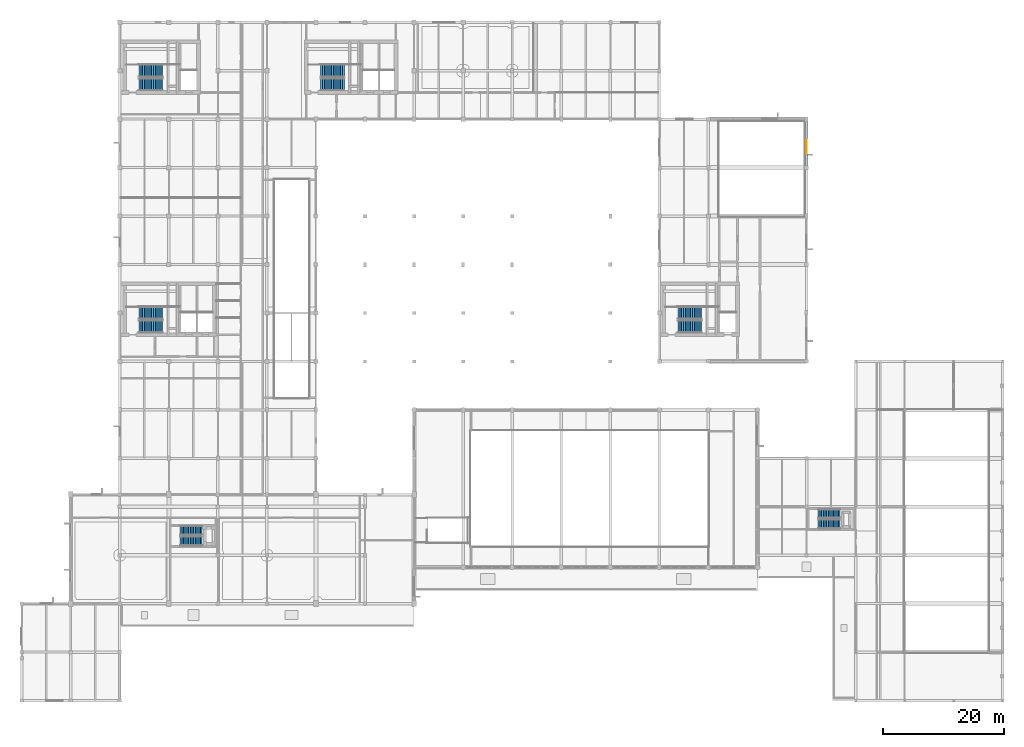
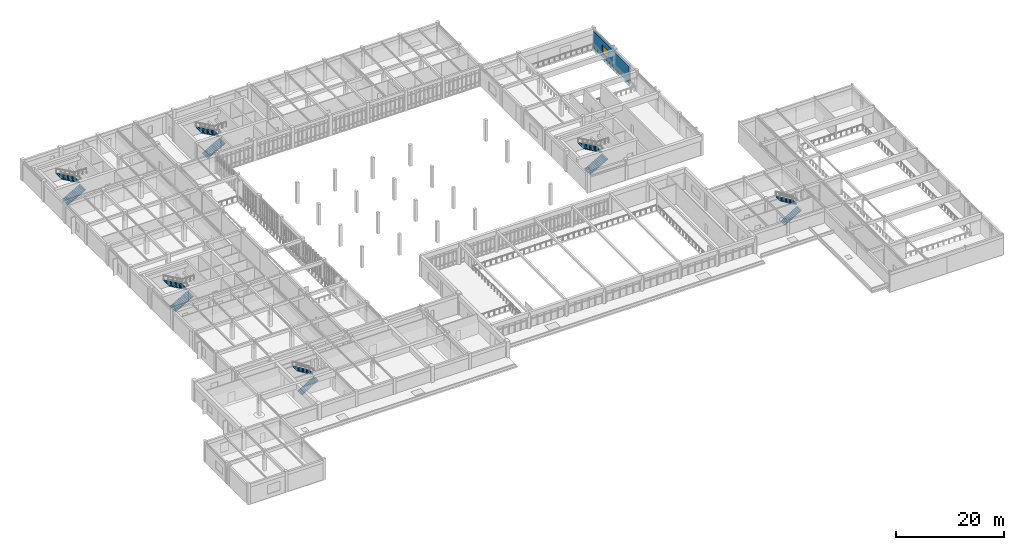
# One storey, part 50 of 61: 12 stair flights, 1 wall, 1 window, 1 opening, 6 elements without a shape of their own.
"""IFC4 building model written with IfcOpenShell, lengths in metres."""

from ifc_helpers import new_model, si_unit, direction, frame, frame_2d, origin, place, context, subcontext, project, spatial, polyline, rectangle, outline, extrude, material, layer, layer_set, type_object, element, fill, aggregate, save


model = new_model("IFC4")

# Units and contexts
model_context = context("Model", 3, precision=1e-05, world=origin(), true_north=direction((0.0, 1.0)))
body_context = subcontext(model_context, "Body", "Model", "MODEL_VIEW")
ifc_project = project(units=[si_unit("LENGTHUNIT", "METRE"), si_unit("AREAUNIT", "SQUARE_METRE"), si_unit("VOLUMEUNIT", "CUBIC_METRE"), si_unit("PLANEANGLEUNIT", "RADIAN"), si_unit("MASSUNIT", "GRAM", prefix="KILO")], contexts=[model_context])

# Site, building, storey
site_placement = place(None, origin())
site = spatial("IfcSite", under=ifc_project, at=site_placement, CompositionType="ELEMENT")
building_placement = place(site_placement, origin())
building = spatial("IfcBuilding", under=site, at=building_placement, Name="Tarnveldt Square Police Headquarters", CompositionType="ELEMENT")
storey_placement = place(building_placement, frame((0.0, 0.0, 5.39990234375)))
storey = spatial("IfcBuildingStorey", under=building, at=storey_placement, Name="L01", CompositionType="ELEMENT", Elevation=5.39990234375)

# Wall, opening, window
ifc_material_1 = material(Name="Concrete 40 MPa", Category="concrete")
ifc_layer = layer(ifc_material_1, 0.35009765625)
ifc_layer_set = layer_set([ifc_layer], Name="Concrete 40 MPa")
wall_type = type_object("IfcWallType", Name="WL-CUST-350", PredefinedType="SOLIDWALL", material=ifc_layer_set)
wall_placement = place(storey_placement, frame((129.60009765625, 82.666748046875, 0.0), z_axis=(0.0, 0.0, 1.0), x_axis=(0.0, 1.0, 0.0)))
wall = element("IfcWall", 1, at=wall_placement, inside=storey, type_object=wall_type, Name="L01 Brutalist Exterior Wall 0107", PredefinedType="SOLIDWALL", context=body_context, shape_type="SweptSolid", body=[
    extrude(rectangle(XDim=13.333251953125, YDim=0.35009765625, at=frame_2d((6.66650390625, 0.0))), origin(), (0.0, 0.0, 1.0), 3.912109375),
])
opening_placement = place(wall_placement, frame((7.64990234375, 0.0, 0.949951171875)))
opening = element("IfcOpeningElement", 2, at=opening_placement, cuts=wall, Name="Opening W13", PredefinedType="OPENING", context=body_context, shape_type="SweptSolid", body=[
    extrude(rectangle(XDim=2.25, YDim=1.800048828125, at=frame_2d((1.125, 0.89990234375))), frame((0.0, 0.18505859375, 0.0), z_axis=(0.0, -1.0, 0.0), x_axis=(1.0, 0.0, 0.0)), (0.0, 0.0, 1.0), 0.3701171875),
])
ifc_material_2 = material(Name="Triple-glazed low-e laminated vision glass", Category="glass")
window_type = type_object("IfcWindowType", Name="WIN-DR-225x180", PartitioningType="TRIPLE_PANEL_VERTICAL", PredefinedType="WINDOW", material=ifc_material_2)
window_placement = place(opening_placement, origin())
window = element("IfcWindow", 3, at=window_placement, inside=storey, type_object=window_type, Name="L01 Deep-Reveal Brutalist Window 0037", OverallHeight=1.800048828125, OverallWidth=2.25, PartitioningType="TRIPLE_PANEL_VERTICAL", PredefinedType="WINDOW", context=body_context, shape_type="SweptSolid", body=[
    extrude(rectangle(XDim=2.25, YDim=1.800048828125, at=frame_2d((1.125, 0.89990234375))), frame((0.0, 0.030029296875, 0.0), z_axis=(0.0, -1.0, 0.0), x_axis=(1.0, 0.0, 0.0)), (0.0, 0.0, 1.0), 0.06005859375),
])
fill(opening, window)

# Stair, stair flights
stair_type_1 = type_object("IfcStairType", Name="STR-HT-48A", PredefinedType="HALF_TURN_STAIR", material=ifc_material_1)
stair_1_placement = place(storey_placement, origin())
stair_1 = element("IfcStair", 4, at=stair_1_placement, inside=storey, type_object=stair_type_1, Name="L01 Core K1 Exit Stair ST1", PredefinedType="HALF_TURN_STAIR")
stair_flight_type_1 = type_object("IfcStairFlightType", Name="STF-HT-48A", PredefinedType="STRAIGHT", material=ifc_material_1)
stair_flight_1_placement = place(storey_placement, frame((19.3701171875, 61.7451171875, 0.0), z_axis=(0.0, 0.0, 1.0), x_axis=(1.0, 0.0, 0.0)))
stair_flight_1 = element("IfcStairFlight", 5, at=stair_flight_1_placement, type_object=stair_flight_type_1, Name="ST1 flight 1", NumberOfRisers=14, NumberOfTreads=13, PredefinedType="STRAIGHT", RiserHeight=0.171428571, TreadLength=0.3, context=body_context, shape_type="SweptSolid", body=[
    extrude(outline(polyline([(0.0, 0.0), (0.0, 0.17138671875), (0.300048828125, 0.17138671875), (0.300048828125, 0.3427734375), (0.60009765625, 0.3427734375), (0.60009765625, 0.514404296875), (0.89990234375, 0.514404296875), (0.89990234375, 0.685791015625), (1.199951171875, 0.685791015625), (1.199951171875, 0.857177734375), (1.5, 0.857177734375), (1.5, 1.028564453125), (1.800048828125, 1.028564453125), (1.800048828125, 1.199951171875), (2.10009765625, 1.199951171875), (2.10009765625, 1.371337890625), (2.39990234375, 1.371337890625), (2.39990234375, 1.54296875), (2.699951171875, 1.54296875), (2.699951171875, 1.71435546875), (3.0, 1.71435546875), (3.0, 1.8857421875), (3.300048828125, 1.8857421875), (3.300048828125, 2.05712890625), (3.60009765625, 2.05712890625), (3.60009765625, 2.228515625), (3.89990234375, 2.228515625), (3.89990234375, 2.39990234375), (3.89990234375, 2.055908203125), (0.30224609375, 0.0), (0.0, 0.0)])), frame((0.0, 1.02490234375, 0.0), z_axis=(0.0, -1.0, 0.0), x_axis=(1.0, 0.0, 0.0)), (0.0, 0.0, 1.0), 2.050048828125),
])
stair_flight_2_placement = place(storey_placement, frame((23.27001953125, 63.9951171875, 2.400146484375), z_axis=(0.0, 0.0, 1.0), x_axis=(-1.0, 0.0, 0.0)))
stair_flight_2 = element("IfcStairFlight", 6, at=stair_flight_2_placement, type_object=stair_flight_type_1, Name="ST1 flight 2", NumberOfRisers=14, NumberOfTreads=13, PredefinedType="STRAIGHT", RiserHeight=0.171428571, TreadLength=0.3, context=body_context, shape_type="SweptSolid", body=[
    extrude(outline(polyline([(0.0, 0.0), (0.0, 0.17138671875), (0.300048828125, 0.17138671875), (0.300048828125, 0.3427734375), (0.60009765625, 0.3427734375), (0.60009765625, 0.514404296875), (0.89990234375, 0.514404296875), (0.89990234375, 0.685791015625), (1.199951171875, 0.685791015625), (1.199951171875, 0.857177734375), (1.5, 0.857177734375), (1.5, 1.028564453125), (1.800048828125, 1.028564453125), (1.800048828125, 1.199951171875), (2.10009765625, 1.199951171875), (2.10009765625, 1.371337890625), (2.39990234375, 1.371337890625), (2.39990234375, 1.54296875), (2.699951171875, 1.54296875), (2.699951171875, 1.71435546875), (3.0, 1.71435546875), (3.0, 1.8857421875), (3.300048828125, 1.8857421875), (3.300048828125, 2.05712890625), (3.60009765625, 2.05712890625), (3.60009765625, 2.228515625), (3.89990234375, 2.228515625), (3.89990234375, 2.39990234375), (3.89990234375, 2.055908203125), (0.30224609375, 0.0), (0.0, 0.0)])), frame((0.0, 1.02490234375, 0.0), z_axis=(0.0, -1.0, 0.0), x_axis=(1.0, 0.0, 0.0)), (0.0, 0.0, 1.0), 2.050048828125),
])
aggregate(stair_1, [stair_flight_1, stair_flight_2])

stair_2_placement = place(storey_placement, origin())
stair_2 = element("IfcStair", 7, at=stair_2_placement, inside=storey, type_object=stair_type_1, Name="L01 Core K2 Exit Stair ST2", PredefinedType="HALF_TURN_STAIR")
stair_flight_3_placement = place(storey_placement, frame((19.3701171875, 101.7451171875, 0.0), z_axis=(0.0, 0.0, 1.0), x_axis=(1.0, 0.0, 0.0)))
stair_flight_3 = element("IfcStairFlight", 8, at=stair_flight_3_placement, type_object=stair_flight_type_1, Name="ST2 flight 1", NumberOfRisers=14, NumberOfTreads=13, PredefinedType="STRAIGHT", RiserHeight=0.171428571, TreadLength=0.3, context=body_context, shape_type="SweptSolid", body=[
    extrude(outline(polyline([(0.0, 0.0), (0.0, 0.17138671875), (0.300048828125, 0.17138671875), (0.300048828125, 0.3427734375), (0.60009765625, 0.3427734375), (0.60009765625, 0.514404296875), (0.89990234375, 0.514404296875), (0.89990234375, 0.685791015625), (1.199951171875, 0.685791015625), (1.199951171875, 0.857177734375), (1.5, 0.857177734375), (1.5, 1.028564453125), (1.800048828125, 1.028564453125), (1.800048828125, 1.199951171875), (2.10009765625, 1.199951171875), (2.10009765625, 1.371337890625), (2.39990234375, 1.371337890625), (2.39990234375, 1.54296875), (2.699951171875, 1.54296875), (2.699951171875, 1.71435546875), (3.0, 1.71435546875), (3.0, 1.8857421875), (3.300048828125, 1.8857421875), (3.300048828125, 2.05712890625), (3.60009765625, 2.05712890625), (3.60009765625, 2.228515625), (3.89990234375, 2.228515625), (3.89990234375, 2.39990234375), (3.89990234375, 2.055908203125), (0.30224609375, 0.0), (0.0, 0.0)])), frame((0.0, 1.02490234375, 0.0), z_axis=(0.0, -1.0, 0.0), x_axis=(1.0, 0.0, 0.0)), (0.0, 0.0, 1.0), 2.050048828125),
])
stair_flight_4_placement = place(storey_placement, frame((23.27001953125, 103.9951171875, 2.400146484375), z_axis=(0.0, 0.0, 1.0), x_axis=(-1.0, 0.0, 0.0)))
stair_flight_4 = element("IfcStairFlight", 9, at=stair_flight_4_placement, type_object=stair_flight_type_1, Name="ST2 flight 2", NumberOfRisers=14, NumberOfTreads=13, PredefinedType="STRAIGHT", RiserHeight=0.171428571, TreadLength=0.3, context=body_context, shape_type="SweptSolid", body=[
    extrude(outline(polyline([(0.0, 0.0), (0.0, 0.17138671875), (0.300048828125, 0.17138671875), (0.300048828125, 0.3427734375), (0.60009765625, 0.3427734375), (0.60009765625, 0.514404296875), (0.89990234375, 0.514404296875), (0.89990234375, 0.685791015625), (1.199951171875, 0.685791015625), (1.199951171875, 0.857177734375), (1.5, 0.857177734375), (1.5, 1.028564453125), (1.800048828125, 1.028564453125), (1.800048828125, 1.199951171875), (2.10009765625, 1.199951171875), (2.10009765625, 1.371337890625), (2.39990234375, 1.371337890625), (2.39990234375, 1.54296875), (2.699951171875, 1.54296875), (2.699951171875, 1.71435546875), (3.0, 1.71435546875), (3.0, 1.8857421875), (3.300048828125, 1.8857421875), (3.300048828125, 2.05712890625), (3.60009765625, 2.05712890625), (3.60009765625, 2.228515625), (3.89990234375, 2.228515625), (3.89990234375, 2.39990234375), (3.89990234375, 2.055908203125), (0.30224609375, 0.0), (0.0, 0.0)])), frame((0.0, 1.02490234375, 0.0), z_axis=(0.0, -1.0, 0.0), x_axis=(1.0, 0.0, 0.0)), (0.0, 0.0, 1.0), 2.050048828125),
])
aggregate(stair_2, [stair_flight_3, stair_flight_4])

stair_3_placement = place(storey_placement, origin())
stair_3 = element("IfcStair", 10, at=stair_3_placement, inside=storey, type_object=stair_type_1, Name="L01 Core K3 Exit Stair ST3", PredefinedType="HALF_TURN_STAIR")
stair_flight_5_placement = place(storey_placement, frame((49.3701171875, 101.7451171875, 0.0), z_axis=(0.0, 0.0, 1.0), x_axis=(1.0, 0.0, 0.0)))
stair_flight_5 = element("IfcStairFlight", 11, at=stair_flight_5_placement, type_object=stair_flight_type_1, Name="ST3 flight 1", NumberOfRisers=14, NumberOfTreads=13, PredefinedType="STRAIGHT", RiserHeight=0.171428571, TreadLength=0.3, context=body_context, shape_type="SweptSolid", body=[
    extrude(outline(polyline([(0.0, 0.0), (0.0, 0.17138671875), (0.300048828125, 0.17138671875), (0.300048828125, 0.3427734375), (0.60009765625, 0.3427734375), (0.60009765625, 0.514404296875), (0.89990234375, 0.514404296875), (0.89990234375, 0.685791015625), (1.199951171875, 0.685791015625), (1.199951171875, 0.857177734375), (1.5, 0.857177734375), (1.5, 1.028564453125), (1.800048828125, 1.028564453125), (1.800048828125, 1.199951171875), (2.10009765625, 1.199951171875), (2.10009765625, 1.371337890625), (2.39990234375, 1.371337890625), (2.39990234375, 1.54296875), (2.699951171875, 1.54296875), (2.699951171875, 1.71435546875), (3.0, 1.71435546875), (3.0, 1.8857421875), (3.300048828125, 1.8857421875), (3.300048828125, 2.05712890625), (3.60009765625, 2.05712890625), (3.60009765625, 2.228515625), (3.89990234375, 2.228515625), (3.89990234375, 2.39990234375), (3.89990234375, 2.055908203125), (0.30224609375, 0.0), (0.0, 0.0)])), frame((0.0, 1.02490234375, 0.0), z_axis=(0.0, -1.0, 0.0), x_axis=(1.0, 0.0, 0.0)), (0.0, 0.0, 1.0), 2.050048828125),
])
stair_flight_6_placement = place(storey_placement, frame((53.27001953125, 103.9951171875, 2.400146484375), z_axis=(0.0, 0.0, 1.0), x_axis=(-1.0, 0.0, 0.0)))
stair_flight_6 = element("IfcStairFlight", 12, at=stair_flight_6_placement, type_object=stair_flight_type_1, Name="ST3 flight 2", NumberOfRisers=14, NumberOfTreads=13, PredefinedType="STRAIGHT", RiserHeight=0.171428571, TreadLength=0.3, context=body_context, shape_type="SweptSolid", body=[
    extrude(outline(polyline([(0.0, 0.0), (0.0, 0.17138671875), (0.300048828125, 0.17138671875), (0.300048828125, 0.3427734375), (0.60009765625, 0.3427734375), (0.60009765625, 0.514404296875), (0.89990234375, 0.514404296875), (0.89990234375, 0.685791015625), (1.199951171875, 0.685791015625), (1.199951171875, 0.857177734375), (1.5, 0.857177734375), (1.5, 1.028564453125), (1.800048828125, 1.028564453125), (1.800048828125, 1.199951171875), (2.10009765625, 1.199951171875), (2.10009765625, 1.371337890625), (2.39990234375, 1.371337890625), (2.39990234375, 1.54296875), (2.699951171875, 1.54296875), (2.699951171875, 1.71435546875), (3.0, 1.71435546875), (3.0, 1.8857421875), (3.300048828125, 1.8857421875), (3.300048828125, 2.05712890625), (3.60009765625, 2.05712890625), (3.60009765625, 2.228515625), (3.89990234375, 2.228515625), (3.89990234375, 2.39990234375), (3.89990234375, 2.055908203125), (0.30224609375, 0.0), (0.0, 0.0)])), frame((0.0, 1.02490234375, 0.0), z_axis=(0.0, -1.0, 0.0), x_axis=(1.0, 0.0, 0.0)), (0.0, 0.0, 1.0), 2.050048828125),
])
aggregate(stair_3, [stair_flight_5, stair_flight_6])

stair_type_2 = type_object("IfcStairType", Name="STR-HT-48B", PredefinedType="HALF_TURN_STAIR", material=ifc_material_1)
stair_4_placement = place(storey_placement, origin())
stair_4 = element("IfcStair", 13, at=stair_4_placement, inside=storey, type_object=stair_type_2, Name="L01 Core K4 Exit Stair ST4", PredefinedType="HALF_TURN_STAIR")
stair_flight_type_2 = type_object("IfcStairFlightType", Name="STF-HT-48B", PredefinedType="STRAIGHT", material=ifc_material_1)
stair_flight_7_placement = place(storey_placement, frame((108.3701171875, 61.7451171875, 0.0), z_axis=(0.0, 0.0, 1.0), x_axis=(1.0, 0.0, 0.0)))
stair_flight_7 = element("IfcStairFlight", 14, at=stair_flight_7_placement, type_object=stair_flight_type_2, Name="ST4 flight 1", NumberOfRisers=14, NumberOfTreads=13, PredefinedType="STRAIGHT", RiserHeight=0.171428571, TreadLength=0.3, context=body_context, shape_type="SweptSolid", body=[
    extrude(outline(polyline([(0.0, 0.0), (0.0, 0.17138671875), (0.300048828125, 0.17138671875), (0.300048828125, 0.3427734375), (0.60009765625, 0.3427734375), (0.60009765625, 0.514404296875), (0.89990234375, 0.514404296875), (0.89990234375, 0.685791015625), (1.199951171875, 0.685791015625), (1.199951171875, 0.857177734375), (1.5, 0.857177734375), (1.5, 1.028564453125), (1.800048828125, 1.028564453125), (1.800048828125, 1.199951171875), (2.10009765625, 1.199951171875), (2.10009765625, 1.371337890625), (2.39990234375, 1.371337890625), (2.39990234375, 1.54296875), (2.699951171875, 1.54296875), (2.699951171875, 1.71435546875), (3.0, 1.71435546875), (3.0, 1.8857421875), (3.300048828125, 1.8857421875), (3.300048828125, 2.05712890625), (3.60009765625, 2.05712890625), (3.60009765625, 2.228515625), (3.89990234375, 2.228515625), (3.89990234375, 2.39990234375), (3.89990234375, 2.055908203125), (0.30224609375, 0.0), (0.0, 0.0)])), frame((0.0, 1.02490234375, 0.0), z_axis=(0.0, -1.0, 0.0), x_axis=(1.0, 0.0, 0.0)), (0.0, 0.0, 1.0), 2.050048828125),
])
stair_flight_8_placement = place(storey_placement, frame((112.27001953125, 63.9951171875, 2.400146484375), z_axis=(0.0, 0.0, 1.0), x_axis=(-1.0, 0.0, 0.0)))
stair_flight_8 = element("IfcStairFlight", 15, at=stair_flight_8_placement, type_object=stair_flight_type_2, Name="ST4 flight 2", NumberOfRisers=14, NumberOfTreads=13, PredefinedType="STRAIGHT", RiserHeight=0.171428571, TreadLength=0.3, context=body_context, shape_type="SweptSolid", body=[
    extrude(outline(polyline([(0.0, 0.0), (0.0, 0.17138671875), (0.300048828125, 0.17138671875), (0.300048828125, 0.3427734375), (0.60009765625, 0.3427734375), (0.60009765625, 0.514404296875), (0.89990234375, 0.514404296875), (0.89990234375, 0.685791015625), (1.199951171875, 0.685791015625), (1.199951171875, 0.857177734375), (1.5, 0.857177734375), (1.5, 1.028564453125), (1.800048828125, 1.028564453125), (1.800048828125, 1.199951171875), (2.10009765625, 1.199951171875), (2.10009765625, 1.371337890625), (2.39990234375, 1.371337890625), (2.39990234375, 1.54296875), (2.699951171875, 1.54296875), (2.699951171875, 1.71435546875), (3.0, 1.71435546875), (3.0, 1.8857421875), (3.300048828125, 1.8857421875), (3.300048828125, 2.05712890625), (3.60009765625, 2.05712890625), (3.60009765625, 2.228515625), (3.89990234375, 2.228515625), (3.89990234375, 2.39990234375), (3.89990234375, 2.055908203125), (0.30224609375, 0.0), (0.0, 0.0)])), frame((0.0, 1.02490234375, 0.0), z_axis=(0.0, -1.0, 0.0), x_axis=(1.0, 0.0, 0.0)), (0.0, 0.0, 1.0), 2.050048828125),
])
aggregate(stair_4, [stair_flight_7, stair_flight_8])

stair_type_3 = type_object("IfcStairType", Name="STR-HT-48C", PredefinedType="HALF_TURN_STAIR", material=ifc_material_1)
stair_5_placement = place(storey_placement, origin())
stair_5 = element("IfcStair", 16, at=stair_5_placement, inside=storey, type_object=stair_type_3, Name="L01 Plinth and Command Lantern Exit Stair ST6", PredefinedType="HALF_TURN_STAIR")
stair_flight_type_3 = type_object("IfcStairFlightType", Name="STF-HT-48C", PredefinedType="STRAIGHT", material=ifc_material_1)
stair_flight_9_placement = place(storey_placement, frame((26.169921875, 26.340087890625, 0.0), z_axis=(0.0, 0.0, 1.0), x_axis=(1.0, 0.0, 0.0)))
stair_flight_9 = element("IfcStairFlight", 17, at=stair_flight_9_placement, type_object=stair_flight_type_3, Name="ST6 flight 1", NumberOfRisers=14, NumberOfTreads=13, PredefinedType="STRAIGHT", RiserHeight=0.171428571, TreadLength=0.28, context=body_context, shape_type="SweptSolid", body=[
    extrude(outline(polyline([(0.0, 0.0), (0.0, 0.17138671875), (0.280029296875, 0.17138671875), (0.280029296875, 0.3427734375), (0.56005859375, 0.3427734375), (0.56005859375, 0.514404296875), (0.840087890625, 0.514404296875), (0.840087890625, 0.685791015625), (1.1201171875, 0.685791015625), (1.1201171875, 0.857177734375), (1.39990234375, 0.857177734375), (1.39990234375, 1.028564453125), (1.679931640625, 1.028564453125), (1.679931640625, 1.199951171875), (1.9599609375, 1.199951171875), (1.9599609375, 1.371337890625), (2.239990234375, 1.371337890625), (2.239990234375, 1.54296875), (2.52001953125, 1.54296875), (2.52001953125, 1.71435546875), (2.800048828125, 1.71435546875), (2.800048828125, 1.8857421875), (3.080078125, 1.8857421875), (3.080078125, 2.05712890625), (3.360107421875, 2.05712890625), (3.360107421875, 2.228515625), (3.639892578125, 2.228515625), (3.639892578125, 2.39990234375), (3.639892578125, 2.052734375), (0.287109375, 0.0), (0.0, 0.0)])), frame((0.0, 0.760009765625, 0.0), z_axis=(0.0, -1.0, 0.0), x_axis=(1.0, 0.0, 0.0)), (0.0, 0.0, 1.0), 1.52001953125),
])
stair_flight_10_placement = place(storey_placement, frame((29.81005859375, 28.06005859375, 2.400146484375), z_axis=(0.0, 0.0, 1.0), x_axis=(-1.0, 0.0, 0.0)))
stair_flight_10 = element("IfcStairFlight", 18, at=stair_flight_10_placement, type_object=stair_flight_type_3, Name="ST6 flight 2", NumberOfRisers=14, NumberOfTreads=13, PredefinedType="STRAIGHT", RiserHeight=0.171428571, TreadLength=0.28, context=body_context, shape_type="SweptSolid", body=[
    extrude(outline(polyline([(0.0, 0.0), (0.0, 0.17138671875), (0.280029296875, 0.17138671875), (0.280029296875, 0.3427734375), (0.56005859375, 0.3427734375), (0.56005859375, 0.514404296875), (0.840087890625, 0.514404296875), (0.840087890625, 0.685791015625), (1.1201171875, 0.685791015625), (1.1201171875, 0.857177734375), (1.39990234375, 0.857177734375), (1.39990234375, 1.028564453125), (1.679931640625, 1.028564453125), (1.679931640625, 1.199951171875), (1.9599609375, 1.199951171875), (1.9599609375, 1.371337890625), (2.239990234375, 1.371337890625), (2.239990234375, 1.54296875), (2.52001953125, 1.54296875), (2.52001953125, 1.71435546875), (2.800048828125, 1.71435546875), (2.800048828125, 1.8857421875), (3.080078125, 1.8857421875), (3.080078125, 2.05712890625), (3.360107421875, 2.05712890625), (3.360107421875, 2.228515625), (3.639892578125, 2.228515625), (3.639892578125, 2.39990234375), (3.639892578125, 2.052734375), (0.287109375, 0.0), (0.0, 0.0)])), frame((0.0, 0.760009765625, 0.0), z_axis=(0.0, -1.0, 0.0), x_axis=(1.0, 0.0, 0.0)), (0.0, 0.0, 1.0), 1.52001953125),
])
aggregate(stair_5, [stair_flight_9, stair_flight_10])

stair_6_placement = place(storey_placement, origin())
stair_6 = element("IfcStair", 19, at=stair_6_placement, inside=storey, type_object=stair_type_3, Name="L01 East Hall Exit Stair ST7", PredefinedType="HALF_TURN_STAIR")
stair_flight_11_placement = place(storey_placement, frame((131.52001953125, 29.139892578125, 0.0), z_axis=(0.0, 0.0, 1.0), x_axis=(1.0, 0.0, 0.0)))
stair_flight_11 = element("IfcStairFlight", 20, at=stair_flight_11_placement, type_object=stair_flight_type_3, Name="ST7 flight 1", NumberOfRisers=14, NumberOfTreads=13, PredefinedType="STRAIGHT", RiserHeight=0.171428571, TreadLength=0.28, context=body_context, shape_type="SweptSolid", body=[
    extrude(outline(polyline([(0.0, 0.0), (0.0, 0.17138671875), (0.280029296875, 0.17138671875), (0.280029296875, 0.3427734375), (0.56005859375, 0.3427734375), (0.56005859375, 0.514404296875), (0.840087890625, 0.514404296875), (0.840087890625, 0.685791015625), (1.1201171875, 0.685791015625), (1.1201171875, 0.857177734375), (1.39990234375, 0.857177734375), (1.39990234375, 1.028564453125), (1.679931640625, 1.028564453125), (1.679931640625, 1.199951171875), (1.9599609375, 1.199951171875), (1.9599609375, 1.371337890625), (2.239990234375, 1.371337890625), (2.239990234375, 1.54296875), (2.52001953125, 1.54296875), (2.52001953125, 1.71435546875), (2.800048828125, 1.71435546875), (2.800048828125, 1.8857421875), (3.080078125, 1.8857421875), (3.080078125, 2.05712890625), (3.360107421875, 2.05712890625), (3.360107421875, 2.228515625), (3.639892578125, 2.228515625), (3.639892578125, 2.39990234375), (3.639892578125, 2.052734375), (0.287109375, 0.0), (0.0, 0.0)])), frame((0.0, 0.760009765625, 0.0), z_axis=(0.0, -1.0, 0.0), x_axis=(1.0, 0.0, 0.0)), (0.0, 0.0, 1.0), 1.52001953125),
])
stair_flight_12_placement = place(storey_placement, frame((135.159912109375, 30.860107421875, 2.400146484375), z_axis=(0.0, 0.0, 1.0), x_axis=(-1.0, 0.0, 0.0)))
stair_flight_12 = element("IfcStairFlight", 21, at=stair_flight_12_placement, type_object=stair_flight_type_3, Name="ST7 flight 2", NumberOfRisers=14, NumberOfTreads=13, PredefinedType="STRAIGHT", RiserHeight=0.171428571, TreadLength=0.28, context=body_context, shape_type="SweptSolid", body=[
    extrude(outline(polyline([(0.0, 0.0), (0.0, 0.17138671875), (0.280029296875, 0.17138671875), (0.280029296875, 0.3427734375), (0.56005859375, 0.3427734375), (0.56005859375, 0.514404296875), (0.840087890625, 0.514404296875), (0.840087890625, 0.685791015625), (1.1201171875, 0.685791015625), (1.1201171875, 0.857177734375), (1.39990234375, 0.857177734375), (1.39990234375, 1.028564453125), (1.679931640625, 1.028564453125), (1.679931640625, 1.199951171875), (1.9599609375, 1.199951171875), (1.9599609375, 1.371337890625), (2.239990234375, 1.371337890625), (2.239990234375, 1.54296875), (2.52001953125, 1.54296875), (2.52001953125, 1.71435546875), (2.800048828125, 1.71435546875), (2.800048828125, 1.8857421875), (3.080078125, 1.8857421875), (3.080078125, 2.05712890625), (3.360107421875, 2.05712890625), (3.360107421875, 2.228515625), (3.639892578125, 2.228515625), (3.639892578125, 2.39990234375), (3.639892578125, 2.052734375), (0.287109375, 0.0), (0.0, 0.0)])), frame((0.0, 0.760009765625, 0.0), z_axis=(0.0, -1.0, 0.0), x_axis=(1.0, 0.0, 0.0)), (0.0, 0.0, 1.0), 1.52001953125),
])
aggregate(stair_6, [stair_flight_11, stair_flight_12])

save(model, "model.ifc")
